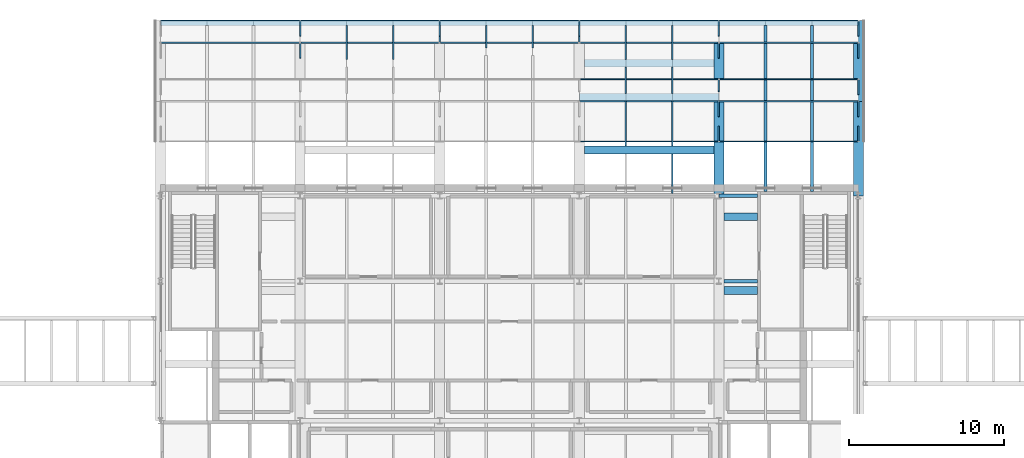
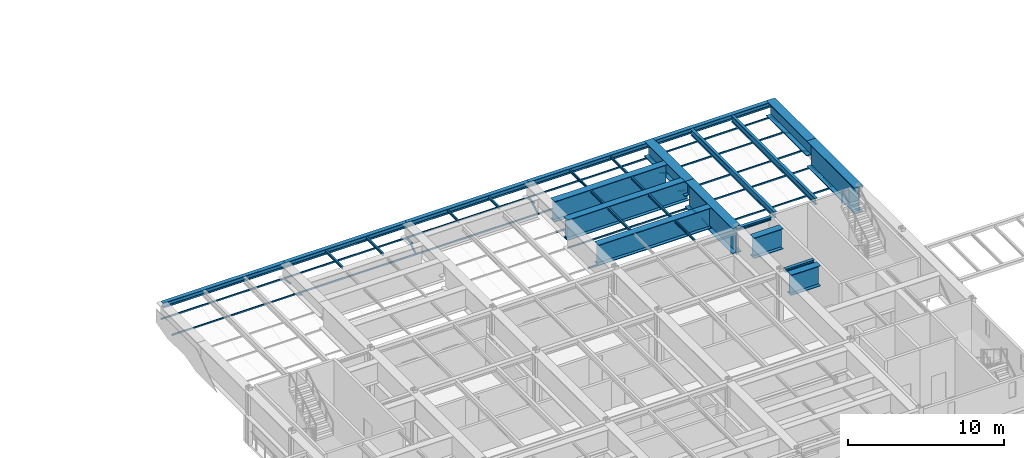
# One storey, part 69 of 153: 32 members, 29 beams.
"""IFC4 building model written with IfcOpenShell, lengths in metres."""

from ifc_helpers import new_model, si_unit, direction, frame, origin, origin_2d, place, context, subcontext, project, spatial, hollow_rectangle, i_section, extrude, material, material_profile, profile_set, type_object, element, save


model = new_model("IFC4")

# Units and contexts
model_context = context("Model", 3, precision=1e-05, world=origin(), true_north=direction((0.0, 1.0)))
body_context = subcontext(model_context, "Body", "Model", "MODEL_VIEW")
ifc_project = project(units=[si_unit("LENGTHUNIT", "METRE"), si_unit("AREAUNIT", "SQUARE_METRE"), si_unit("VOLUMEUNIT", "CUBIC_METRE"), si_unit("PLANEANGLEUNIT", "RADIAN"), si_unit("MASSUNIT", "GRAM", prefix="KILO")], contexts=[model_context])

# Site, building, storey
site_placement = place(None, origin())
site = spatial("IfcSite", under=ifc_project, at=site_placement, CompositionType="ELEMENT")
building_placement = place(site_placement, origin())
building = spatial("IfcBuilding", under=site, at=building_placement, Name="Kallimachos Central Library", CompositionType="ELEMENT")
storey_placement = place(building_placement, frame((0.0, 0.0, 5.39990234375)))
storey = spatial("IfcBuildingStorey", under=building, at=storey_placement, Name="L01", CompositionType="ELEMENT", Elevation=5.39990234375)

# Beams
ifc_material_1 = material(Name="Steel S355K2", Category="steel")
ifc_material_profile_1 = material_profile(ifc_material_1, i_section(OverallWidth=0.64990234375, OverallDepth=1.199951171875, WebThickness=0.02001953125, FlangeThickness=0.054931640625, at=origin_2d()), Name="PG 1200x650-20/55")
ifc_profile_set_1 = profile_set([ifc_material_profile_1], Name="Steel S355K2")
beam_type_1 = type_object("IfcBeamType", Name="Cantilever girder PG 1200x650-20/55", PredefinedType="BEAM", material=ifc_profile_set_1)
for number, where, z_axis, x_axis, name in (
    (1, (101.5, 116.60009765625, 3.7001953125), (0.0, 1.0, 0.0), (-1.0, 0.0, 0.0), "V1-BEM-L01-039"),
    (2, (110.5, 116.60009765625, 3.7001953125), (0.0, 1.0, 0.0), (-1.0, 0.0, 0.0), "V1-BEM-L01-042"),
):
    element("IfcBeam", number, at=place(storey_placement, frame(where, z_axis=z_axis, x_axis=x_axis)), inside=storey, type_object=beam_type_1, Name=name, PredefinedType="BEAM", context=body_context, shape_type="SweptSolid", body=[
        extrude(i_section(OverallWidth=0.64990234375, OverallDepth=1.199951171875, WebThickness=0.02001953125, FlangeThickness=0.054931640625, at=origin_2d()), origin(), (0.0, 0.0, 1.0), 5.199951171875),
    ])
ifc_material_2 = material(Name="Steel S355K2", Category="steel")
ifc_material_profile_2 = material_profile(ifc_material_2, i_section(OverallWidth=0.64990234375, OverallDepth=2.0, WebThickness=0.034912109375, FlangeThickness=0.054931640625, at=origin_2d()), Name="PG 2000x650-35/55")
ifc_profile_set_2 = profile_set([ifc_material_profile_2], Name="Steel S355K2")
beam_type_2 = type_object("IfcBeamType", Name="Cantilever girder PG 2000x650-35/55", PredefinedType="BEAM", material=ifc_profile_set_2)
for number, where, z_axis, x_axis, name in (
    (3, (101.5, 110.5, 3.300048828125), (0.0, 1.0, 0.0), (-1.0, 0.0, 0.0), "V1-BEM-L01-038"),
    (4, (110.5, 110.5, 3.300048828125), (0.0, 1.0, 0.0), (-1.0, 0.0, 0.0), "V1-BEM-L01-041"),
):
    element("IfcBeam", number, at=place(storey_placement, frame(where, z_axis=z_axis, x_axis=x_axis)), inside=storey, type_object=beam_type_2, Name=name, PredefinedType="BEAM", context=body_context, shape_type="SweptSolid", body=[
        extrude(i_section(OverallWidth=0.64990234375, OverallDepth=2.0, WebThickness=0.034912109375, FlangeThickness=0.054931640625, at=origin_2d()), origin(), (0.0, 0.0, 1.0), 6.10009765625),
    ])
ifc_material_3 = material(Name="Steel S355J2", Category="steel")
ifc_material_profile_3 = material_profile(ifc_material_3, i_section(OverallWidth=0.239990234375, OverallDepth=0.22998046875, WebThickness=0.007568359375, FlangeThickness=0.011962890625, FilletRadius=0.02099609375, at=origin_2d()), Name="HEA 240")
ifc_profile_set_3 = profile_set([ifc_material_profile_3], Name="Steel S355J2")
beam_type_3 = type_object("IfcBeamType", Name="HEA 240 beam", PredefinedType="BEAM", material=ifc_profile_set_3)
beam_1_placement = place(storey_placement, frame((101.824951171875, 105.0, 4.18505859375), z_axis=(1.0, 0.0, 0.0), x_axis=(0.0, 1.0, 0.0)))
element("IfcBeam", 5, at=beam_1_placement, inside=storey, type_object=beam_type_3, Name="V1-BEM-L01-053", PredefinedType="BEAM", context=body_context, shape_type="SweptSolid", body=[
    extrude(i_section(OverallWidth=0.239990234375, OverallDepth=0.22998046875, WebThickness=0.007568359375, FlangeThickness=0.011962890625, FilletRadius=0.02099609375, at=origin_2d()), origin(), (0.0, 0.0, 1.0), 2.170166015625),
])
beam_2_placement = place(storey_placement, frame((101.5, 110.5, 4.18505859375), z_axis=(1.0, 0.0, 0.0), x_axis=(0.0, 1.0, 0.0)))
element("IfcBeam", 6, at=beam_2_placement, inside=storey, type_object=beam_type_3, Name="V1-BEM-L01-058", PredefinedType="BEAM", context=body_context, shape_type="SweptSolid", body=[
    extrude(i_section(OverallWidth=0.239990234375, OverallDepth=0.22998046875, WebThickness=0.007568359375, FlangeThickness=0.011962890625, FilletRadius=0.02099609375, at=origin_2d()), origin(), (0.0, 0.0, 1.0), 2.4951171875),
])
ifc_material_4 = material(Name="Steel S355J2", Category="steel")
ifc_material_profile_4 = material_profile(ifc_material_4, i_section(OverallWidth=0.300048828125, OverallDepth=0.39990234375, WebThickness=0.013427734375, FlangeThickness=0.02392578125, FilletRadius=0.027099609375, at=origin_2d()), Name="HEB 400")
ifc_profile_set_4 = profile_set([ifc_material_profile_4], Name="Steel S355J2")
beam_type_4 = type_object("IfcBeamType", Name="HEB 400 beam", PredefinedType="BEAM", material=ifc_profile_set_4)
for number, where, z_axis, x_axis, name in (
    (7, (65.5, 121.64990234375, 4.10009765625), (1.0, 0.0, 0.0), (0.0, 1.0, 0.0), "V1-BEM-L01-059"),
    (8, (74.5, 121.64990234375, 4.10009765625), (1.0, 0.0, 0.0), (0.0, 1.0, 0.0), "V1-BEM-L01-060"),
    (9, (83.5, 121.64990234375, 4.10009765625), (1.0, 0.0, 0.0), (0.0, 1.0, 0.0), "V1-BEM-L01-061"),
    (10, (92.5, 121.64990234375, 4.10009765625), (1.0, 0.0, 0.0), (0.0, 1.0, 0.0), "V1-BEM-L01-062"),
    (11, (101.5, 121.64990234375, 4.10009765625), (1.0, 0.0, 0.0), (0.0, 1.0, 0.0), "V1-BEM-L01-063"),
):
    element("IfcBeam", number, at=place(storey_placement, frame(where, z_axis=z_axis, x_axis=x_axis)), inside=storey, type_object=beam_type_4, Name=name, PredefinedType="BEAM", context=body_context, shape_type="SweptSolid", body=[
        extrude(i_section(OverallWidth=0.300048828125, OverallDepth=0.39990234375, WebThickness=0.013427734375, FlangeThickness=0.02392578125, FilletRadius=0.027099609375, at=origin_2d()), origin(), (0.0, 0.0, 1.0), 9.0),
    ])
ifc_material_5 = material(Name="Steel S355J2", Category="steel")
ifc_material_profile_5 = material_profile(ifc_material_5, i_section(OverallWidth=0.10009765625, OverallDepth=0.199951171875, WebThickness=0.005615234375, FlangeThickness=0.008544921875, FilletRadius=0.011962890625, at=origin_2d()), Name="IPE 200")
ifc_profile_set_5 = profile_set([ifc_material_profile_5], Name="Steel S355J2")
beam_type_5 = type_object("IfcBeamType", Name="IPE 200 beam", PredefinedType="BEAM", material=ifc_profile_set_5)
for number, where, z_axis, x_axis, name in (
    (12, (77.5, 119.29638671875, 4.2001953125), (0.0, 1.0, 0.0), (-1.0, 0.0, 0.0), "V1-BEM-L01-078"),
    (13, (80.5, 119.29638671875, 4.2001953125), (0.0, 1.0, 0.0), (-1.0, 0.0, 0.0), "V1-BEM-L01-087"),
):
    element("IfcBeam", number, at=place(storey_placement, frame(where, z_axis=z_axis, x_axis=x_axis)), inside=storey, type_object=beam_type_5, Name=name, PredefinedType="BEAM", context=body_context, shape_type="SweptSolid", body=[
        extrude(i_section(OverallWidth=0.10009765625, OverallDepth=0.199951171875, WebThickness=0.005615234375, FlangeThickness=0.008544921875, FilletRadius=0.011962890625, at=origin_2d()), origin(), (0.0, 0.0, 1.0), 2.20361328125),
    ])
for number, where, z_axis, x_axis, name in (
    (14, (86.5, 120.050048828125, 4.2001953125), (0.0, 1.0, 0.0), (-1.0, 0.0, 0.0), "V1-BEM-L01-093"),
    (15, (89.5, 120.050048828125, 4.2001953125), (0.0, 1.0, 0.0), (-1.0, 0.0, 0.0), "V1-BEM-L01-099"),
):
    element("IfcBeam", number, at=place(storey_placement, frame(where, z_axis=z_axis, x_axis=x_axis)), inside=storey, type_object=beam_type_5, Name=name, PredefinedType="BEAM", context=body_context, shape_type="SweptSolid", body=[
        extrude(i_section(OverallWidth=0.10009765625, OverallDepth=0.199951171875, WebThickness=0.005615234375, FlangeThickness=0.008544921875, FilletRadius=0.011962890625, at=origin_2d()), origin(), (0.0, 0.0, 1.0), 1.449951171875),
    ])
beam_3_placement = place(storey_placement, frame((95.5, 113.701904296875, 4.2001953125), z_axis=(0.0, 1.0, 0.0), x_axis=(-1.0, 0.0, 0.0)))
element("IfcBeam", 16, at=beam_3_placement, inside=storey, type_object=beam_type_5, Name="V1-BEM-L01-106", PredefinedType="BEAM", context=body_context, shape_type="SweptSolid", body=[
    extrude(i_section(OverallWidth=0.10009765625, OverallDepth=0.199951171875, WebThickness=0.005615234375, FlangeThickness=0.008544921875, FilletRadius=0.011962890625, at=origin_2d()), origin(), (0.0, 0.0, 1.0), 2.906982421875),
])
beam_4_placement = place(storey_placement, frame((95.5, 117.10888671875, 4.2001953125), z_axis=(0.0, 1.0, 0.0), x_axis=(-1.0, 0.0, 0.0)))
element("IfcBeam", 17, at=beam_4_placement, inside=storey, type_object=beam_type_5, Name="V1-BEM-L01-107", PredefinedType="BEAM", context=body_context, shape_type="SweptSolid", body=[
    extrude(i_section(OverallWidth=0.10009765625, OverallDepth=0.199951171875, WebThickness=0.005615234375, FlangeThickness=0.008544921875, FilletRadius=0.011962890625, at=origin_2d()), origin(), (0.0, 0.0, 1.0), 1.6875),
])
beam_5_placement = place(storey_placement, frame((95.5, 119.29638671875, 4.2001953125), z_axis=(0.0, 1.0, 0.0), x_axis=(-1.0, 0.0, 0.0)))
element("IfcBeam", 18, at=beam_5_placement, inside=storey, type_object=beam_type_5, Name="V1-BEM-L01-108", PredefinedType="BEAM", context=body_context, shape_type="SweptSolid", body=[
    extrude(i_section(OverallWidth=0.10009765625, OverallDepth=0.199951171875, WebThickness=0.005615234375, FlangeThickness=0.008544921875, FilletRadius=0.011962890625, at=origin_2d()), origin(), (0.0, 0.0, 1.0), 2.20361328125),
])
beam_6_placement = place(storey_placement, frame((98.5, 110.64990234375, 4.2001953125), z_axis=(0.0, 1.0, 0.0), x_axis=(-1.0, 0.0, 0.0)))
element("IfcBeam", 19, at=beam_6_placement, inside=storey, type_object=beam_type_5, Name="V1-BEM-L01-114", PredefinedType="BEAM", context=body_context, shape_type="SweptSolid", body=[
    extrude(i_section(OverallWidth=0.10009765625, OverallDepth=0.199951171875, WebThickness=0.005615234375, FlangeThickness=0.008544921875, FilletRadius=0.011962890625, at=origin_2d()), origin(), (0.0, 0.0, 1.0), 2.552001953125),
])
beam_7_placement = place(storey_placement, frame((98.5, 113.701904296875, 4.2001953125), z_axis=(0.0, 1.0, 0.0), x_axis=(-1.0, 0.0, 0.0)))
element("IfcBeam", 20, at=beam_7_placement, inside=storey, type_object=beam_type_5, Name="V1-BEM-L01-115", PredefinedType="BEAM", context=body_context, shape_type="SweptSolid", body=[
    extrude(i_section(OverallWidth=0.10009765625, OverallDepth=0.199951171875, WebThickness=0.005615234375, FlangeThickness=0.008544921875, FilletRadius=0.011962890625, at=origin_2d()), origin(), (0.0, 0.0, 1.0), 2.906982421875),
])
beam_8_placement = place(storey_placement, frame((98.5, 117.10888671875, 4.2001953125), z_axis=(0.0, 1.0, 0.0), x_axis=(-1.0, 0.0, 0.0)))
element("IfcBeam", 21, at=beam_8_placement, inside=storey, type_object=beam_type_5, Name="V1-BEM-L01-116", PredefinedType="BEAM", context=body_context, shape_type="SweptSolid", body=[
    extrude(i_section(OverallWidth=0.10009765625, OverallDepth=0.199951171875, WebThickness=0.005615234375, FlangeThickness=0.008544921875, FilletRadius=0.011962890625, at=origin_2d()), origin(), (0.0, 0.0, 1.0), 1.6875),
])
beam_9_placement = place(storey_placement, frame((98.5, 119.29638671875, 4.2001953125), z_axis=(0.0, 1.0, 0.0), x_axis=(-1.0, 0.0, 0.0)))
element("IfcBeam", 22, at=beam_9_placement, inside=storey, type_object=beam_type_5, Name="V1-BEM-L01-117", PredefinedType="BEAM", context=body_context, shape_type="SweptSolid", body=[
    extrude(i_section(OverallWidth=0.10009765625, OverallDepth=0.199951171875, WebThickness=0.005615234375, FlangeThickness=0.008544921875, FilletRadius=0.011962890625, at=origin_2d()), origin(), (0.0, 0.0, 1.0), 2.20361328125),
])
ifc_material_6 = material(Name="Steel S355J2", Category="steel")
ifc_material_profile_6 = material_profile(ifc_material_6, i_section(OverallWidth=0.199951171875, OverallDepth=0.5, WebThickness=0.01025390625, FlangeThickness=0.01611328125, FilletRadius=0.02099609375, at=origin_2d()), Name="IPE 500")
ifc_profile_set_6 = profile_set([ifc_material_profile_6], Name="Steel S355J2")
beam_type_6 = type_object("IfcBeamType", Name="IPE 500 beam", PredefinedType="BEAM", material=ifc_profile_set_6)
for number, where, z_axis, x_axis, name in (
    (23, (104.5, 110.780029296875, 4.050048828125), (0.0, 1.0, 0.0), (-1.0, 0.0, 0.0), "V1-BEM-L01-120"),
    (24, (107.5, 110.780029296875, 4.050048828125), (0.0, 1.0, 0.0), (-1.0, 0.0, 0.0), "V1-BEM-L01-123"),
):
    element("IfcBeam", number, at=place(storey_placement, frame(where, z_axis=z_axis, x_axis=x_axis)), inside=storey, type_object=beam_type_6, Name=name, PredefinedType="BEAM", context=body_context, shape_type="SweptSolid", body=[
        extrude(i_section(OverallWidth=0.199951171875, OverallDepth=0.5, WebThickness=0.01025390625, FlangeThickness=0.01611328125, FilletRadius=0.02099609375, at=origin_2d()), origin(), (0.0, 0.0, 1.0), 10.719970703125),
    ])

# Members
ifc_material_7 = material(Name="Steel S355J2H", Category="steel")
ifc_material_profile_7 = material_profile(ifc_material_7, hollow_rectangle(XDim=0.10009765625, YDim=0.10009765625, WallThickness=0.008056640625, InnerFilletRadius=0.008056640625, OuterFilletRadius=0.011962890625, at=origin_2d()), Name="SHS 100x100x8")
ifc_profile_set_7 = profile_set([ifc_material_profile_7], Name="Steel S355J2H")
member_type_1 = type_object("IfcMemberType", Name="Soffit hanger SHS 100x100x8", PredefinedType="POST", material=ifc_profile_set_7)
for number, where, z_axis, x_axis, name in (
    (25, (74.5, 121.77001953125, 2.943115234375), (0.0, -0.98541855723, 0.170147780081), (1.0, 0.0, 0.0), "Soffit hanger 1"),
    (26, (83.5, 121.77001953125, 2.943115234375), (0.0, -0.98541855723, 0.170147780081), (1.0, 0.0, 0.0), "Soffit hanger 1"),
    (27, (92.5, 121.77001953125, 2.943115234375), (0.0, -0.98541855723, 0.170147780081), (1.0, 0.0, 0.0), "Soffit hanger 1"),
    (28, (101.5, 121.77001953125, 2.943115234375), (0.0, -0.98541855723, 0.170147780081), (1.0, 0.0, 0.0), "Soffit hanger 1"),
    (29, (110.5, 121.77001953125, 2.943115234375), (0.0, -0.98541855723, 0.170147780081), (1.0, 0.0, 0.0), "Soffit hanger 1"),
):
    element("IfcMember", number, at=place(storey_placement, frame(where, z_axis=z_axis, x_axis=x_axis)), inside=storey, type_object=member_type_1, Name=name, PredefinedType="POST", context=body_context, shape_type="SweptSolid", body=[
        extrude(hollow_rectangle(XDim=0.10009765625, YDim=0.10009765625, WallThickness=0.008056640625, InnerFilletRadius=0.008056640625, OuterFilletRadius=0.011962890625, at=origin_2d()), origin(), (0.0, 0.0, 1.0), 0.984375),
    ])
for number, where, z_axis, x_axis, name in (
    (30, (74.5, 120.375, 2.567138671875), (0.0, -0.87673962239, 0.48096531531), (1.0, 0.0, 0.0), "Soffit hanger 2"),
    (31, (83.5, 120.375, 2.567138671875), (0.0, 0.87673962239, 0.48096531531), (-1.0, 0.0, 0.0), "Soffit hanger 2"),
    (32, (92.5, 120.375, 2.567138671875), (0.0, 0.87673962239, 0.48096531531), (-1.0, 0.0, 0.0), "Soffit hanger 2"),
    (33, (101.5, 120.375, 2.567138671875), (0.0, -0.87673962239, 0.48096531531), (1.0, 0.0, 0.0), "Soffit hanger 2"),
    (34, (110.5, 120.375, 2.567138671875), (0.0, -0.87673962239, 0.48096531531), (1.0, 0.0, 0.0), "Soffit hanger 2"),
):
    element("IfcMember", number, at=place(storey_placement, frame(where, z_axis=z_axis, x_axis=x_axis)), inside=storey, type_object=member_type_1, Name=name, PredefinedType="POST", context=body_context, shape_type="SweptSolid", body=[
        extrude(hollow_rectangle(XDim=0.10009765625, YDim=0.10009765625, WallThickness=0.008056640625, InnerFilletRadius=0.008056640625, OuterFilletRadius=0.011962890625, at=origin_2d()), origin(), (0.0, 0.0, 1.0), 1.140625),
    ])
member_1_placement = place(storey_placement, frame((101.5, 118.02490234375, 2.5537109375), z_axis=(0.0, -0.81690566231, 0.576771305532), x_axis=(1.0, 0.0, 0.0)))
element("IfcMember", 35, at=member_1_placement, inside=storey, type_object=member_type_1, Name="Soffit hanger 3", PredefinedType="POST", context=body_context, shape_type="SweptSolid", body=[
    extrude(hollow_rectangle(XDim=0.10009765625, YDim=0.10009765625, WallThickness=0.008056640625, InnerFilletRadius=0.008056640625, OuterFilletRadius=0.011962890625, at=origin_2d()), origin(), (0.0, 0.0, 1.0), 0.97900390625),
])
member_2_placement = place(storey_placement, frame((110.5, 118.02490234375, 2.55615234375), z_axis=(0.0, -0.872575028255, 0.488480112253), x_axis=(1.0, 0.0, 0.0)))
element("IfcMember", 36, at=member_2_placement, inside=storey, type_object=member_type_1, Name="Soffit hanger 3", PredefinedType="POST", context=body_context, shape_type="SweptSolid", body=[
    extrude(hollow_rectangle(XDim=0.10009765625, YDim=0.10009765625, WallThickness=0.008056640625, InnerFilletRadius=0.008056640625, OuterFilletRadius=0.011962890625, at=origin_2d()), origin(), (0.0, 0.0, 1.0), 1.14599609375),
])
for number, where, z_axis, x_axis, name in (
    (37, (101.5, 116.60009765625, 2.190673828125), (0.0, -0.992920360357, 0.118781976703), (1.0, 0.0, 0.0), "Soffit hanger 4"),
    (38, (110.5, 116.60009765625, 2.190673828125), (0.0, -0.992920360357, 0.118781976703), (1.0, 0.0, 0.0), "Soffit hanger 4"),
):
    element("IfcMember", number, at=place(storey_placement, frame(where, z_axis=z_axis, x_axis=x_axis)), inside=storey, type_object=member_type_1, Name=name, PredefinedType="POST", context=body_context, shape_type="SweptSolid", body=[
        extrude(hollow_rectangle(XDim=0.10009765625, YDim=0.10009765625, WallThickness=0.008056640625, InnerFilletRadius=0.008056640625, OuterFilletRadius=0.011962890625, at=origin_2d()), origin(), (0.0, 0.0, 1.0), 1.007080078125),
    ])
for number, where, z_axis, x_axis, name in (
    (39, (101.5, 114.0, 2.1796875), (0.0, 0.991577447063, 0.129515120649), (-1.0, 0.0, 0.0), "Soffit hanger 5"),
    (40, (110.5, 114.0, 2.1796875), (0.0, 0.991577447063, 0.129515120649), (-1.0, 0.0, 0.0), "Soffit hanger 5"),
):
    element("IfcMember", number, at=place(storey_placement, frame(where, z_axis=z_axis, x_axis=x_axis)), inside=storey, type_object=member_type_1, Name=name, PredefinedType="POST", context=body_context, shape_type="SweptSolid", body=[
        extrude(hollow_rectangle(XDim=0.10009765625, YDim=0.10009765625, WallThickness=0.008056640625, InnerFilletRadius=0.008056640625, OuterFilletRadius=0.011962890625, at=origin_2d()), origin(), (0.0, 0.0, 1.0), 1.008544921875),
    ])
ifc_material_8 = material(Name="Steel S355J2H", Category="steel")
ifc_material_profile_8 = material_profile(ifc_material_8, hollow_rectangle(XDim=0.080078125, YDim=0.1201171875, WallThickness=0.00634765625, InnerFilletRadius=0.00634765625, OuterFilletRadius=0.009521484375, at=origin_2d()), Name="RHS 120x80x6.3")
ifc_profile_set_8 = profile_set([ifc_material_profile_8], Name="Steel S355J2H")
member_type_2 = type_object("IfcMemberType", Name="Soffit rail RHS 120x80x6.3", PredefinedType="MEMBER", material=ifc_profile_set_8)
for number, where, z_axis, x_axis, name in (
    (41, (65.510009765625, 121.800048828125, 2.893798828125), (1.0, 0.0, 0.0), (0.0, 1.0, 0.0), "Soffit rail 1.1"),
    (42, (74.510009765625, 121.800048828125, 2.893798828125), (1.0, 0.0, 0.0), (0.0, 1.0, 0.0), "Soffit rail 1.2"),
    (43, (83.510009765625, 121.800048828125, 2.893798828125), (1.0, 0.0, 0.0), (0.0, 1.0, 0.0), "Soffit rail 1.3"),
    (44, (92.510009765625, 121.800048828125, 2.893798828125), (1.0, 0.0, 0.0), (0.0, 1.0, 0.0), "Soffit rail 1.4"),
    (45, (101.510009765625, 121.800048828125, 2.893798828125), (1.0, 0.0, 0.0), (0.0, 1.0, 0.0), "Soffit rail 1.5"),
    (46, (65.510009765625, 120.375, 2.522705078125), (1.0, 0.0, 0.0), (0.0, 1.0, 0.0), "Soffit rail 2.1"),
    (47, (74.510009765625, 120.375, 2.522705078125), (1.0, 0.0, 0.0), (0.0, 1.0, 0.0), "Soffit rail 2.2"),
    (48, (83.510009765625, 120.375, 2.522705078125), (1.0, 0.0, 0.0), (0.0, 1.0, 0.0), "Soffit rail 2.3"),
    (49, (92.510009765625, 120.375, 2.522705078125), (1.0, 0.0, 0.0), (0.0, 1.0, 0.0), "Soffit rail 2.4"),
    (50, (101.510009765625, 120.375, 2.522705078125), (1.0, 0.0, 0.0), (0.0, 1.0, 0.0), "Soffit rail 2.5"),
    (51, (92.510009765625, 118.02490234375, 2.511962890625), (1.0, 0.0, 0.0), (0.0, 1.0, 0.0), "Soffit rail 3.4"),
    (52, (101.510009765625, 118.02490234375, 2.511962890625), (1.0, 0.0, 0.0), (0.0, 1.0, 0.0), "Soffit rail 3.5"),
    (53, (92.510009765625, 116.60009765625, 2.140869140625), (1.0, 0.0, 0.0), (0.0, 1.0, 0.0), "Soffit rail 4.4"),
    (54, (101.510009765625, 116.60009765625, 2.140869140625), (1.0, 0.0, 0.0), (0.0, 1.0, 0.0), "Soffit rail 4.5"),
    (55, (92.510009765625, 114.0, 2.130126953125), (1.0, 0.0, 0.0), (0.0, 1.0, 0.0), "Soffit rail 5.4"),
    (56, (101.510009765625, 114.0, 2.130126953125), (1.0, 0.0, 0.0), (0.0, 1.0, 0.0), "Soffit rail 5.5"),
):
    element("IfcMember", number, at=place(storey_placement, frame(where, z_axis=z_axis, x_axis=x_axis)), inside=storey, type_object=member_type_2, Name=name, PredefinedType="MEMBER", context=body_context, shape_type="SweptSolid", body=[
        extrude(hollow_rectangle(XDim=0.080078125, YDim=0.1201171875, WallThickness=0.00634765625, InnerFilletRadius=0.00634765625, OuterFilletRadius=0.009521484375, at=origin_2d()), origin(), (0.0, 0.0, 1.0), 8.97998046875),
    ])

# Beams
ifc_material_9 = material(Name="Steel S355K2", Category="steel")
ifc_material_profile_9 = material_profile(ifc_material_9, i_section(OverallWidth=0.5, OverallDepth=1.60009765625, WebThickness=0.02490234375, FlangeThickness=0.0400390625, at=origin_2d()), Name="PG 1600x500-25/40")
ifc_profile_set_9 = profile_set([ifc_material_profile_9], Name="Steel S355K2")
beam_type_7 = type_object("IfcBeamType", Name="Transfer girder PG 1600", PredefinedType="BEAM", material=ifc_profile_set_9)
for number, where, z_axis, x_axis, name in (
    (57, (101.824951171875, 104.39990234375, 3.5), (1.0, 0.0, 0.0), (0.0, 1.0, 0.0), "V1-BEM-L01-001"),
    (58, (101.824951171875, 109.158935546875, 3.5), (1.0, 0.0, 0.0), (0.0, 1.0, 0.0), "V1-BEM-L01-002"),
):
    element("IfcBeam", number, at=place(storey_placement, frame(where, z_axis=z_axis, x_axis=x_axis)), inside=storey, type_object=beam_type_7, Name=name, PredefinedType="BEAM", context=body_context, shape_type="SweptSolid", body=[
        extrude(i_section(OverallWidth=0.5, OverallDepth=1.60009765625, WebThickness=0.02490234375, FlangeThickness=0.0400390625, at=origin_2d()), origin(), (0.0, 0.0, 1.0), 2.170166015625),
    ])
beam_10_placement = place(storey_placement, frame((92.824951171875, 113.451904296875, 3.5), z_axis=(1.0, 0.0, 0.0), x_axis=(0.0, 1.0, 0.0)))
element("IfcBeam", 59, at=beam_10_placement, inside=storey, type_object=beam_type_7, Name="V1-BEM-L01-003", PredefinedType="BEAM", context=body_context, shape_type="SweptSolid", body=[
    extrude(i_section(OverallWidth=0.5, OverallDepth=1.60009765625, WebThickness=0.02490234375, FlangeThickness=0.0400390625, at=origin_2d()), origin(), (0.0, 0.0, 1.0), 8.35009765625),
])
beam_11_placement = place(storey_placement, frame((92.5, 116.85888671875, 3.5), z_axis=(1.0, 0.0, 0.0), x_axis=(0.0, 1.0, 0.0)))
element("IfcBeam", 60, at=beam_11_placement, inside=storey, type_object=beam_type_7, Name="V1-BEM-L01-004", PredefinedType="BEAM", context=body_context, shape_type="SweptSolid", body=[
    extrude(i_section(OverallWidth=0.5, OverallDepth=1.60009765625, WebThickness=0.02490234375, FlangeThickness=0.0400390625, at=origin_2d()), origin(), (0.0, 0.0, 1.0), 9.0),
])
beam_12_placement = place(storey_placement, frame((92.824951171875, 119.04638671875, 3.5), z_axis=(1.0, 0.0, 0.0), x_axis=(0.0, 1.0, 0.0)))
element("IfcBeam", 61, at=beam_12_placement, inside=storey, type_object=beam_type_7, Name="V1-BEM-L01-005", PredefinedType="BEAM", context=body_context, shape_type="SweptSolid", body=[
    extrude(i_section(OverallWidth=0.5, OverallDepth=1.60009765625, WebThickness=0.02490234375, FlangeThickness=0.0400390625, at=origin_2d()), origin(), (0.0, 0.0, 1.0), 8.35009765625),
])

save(model, "model.ifc")
